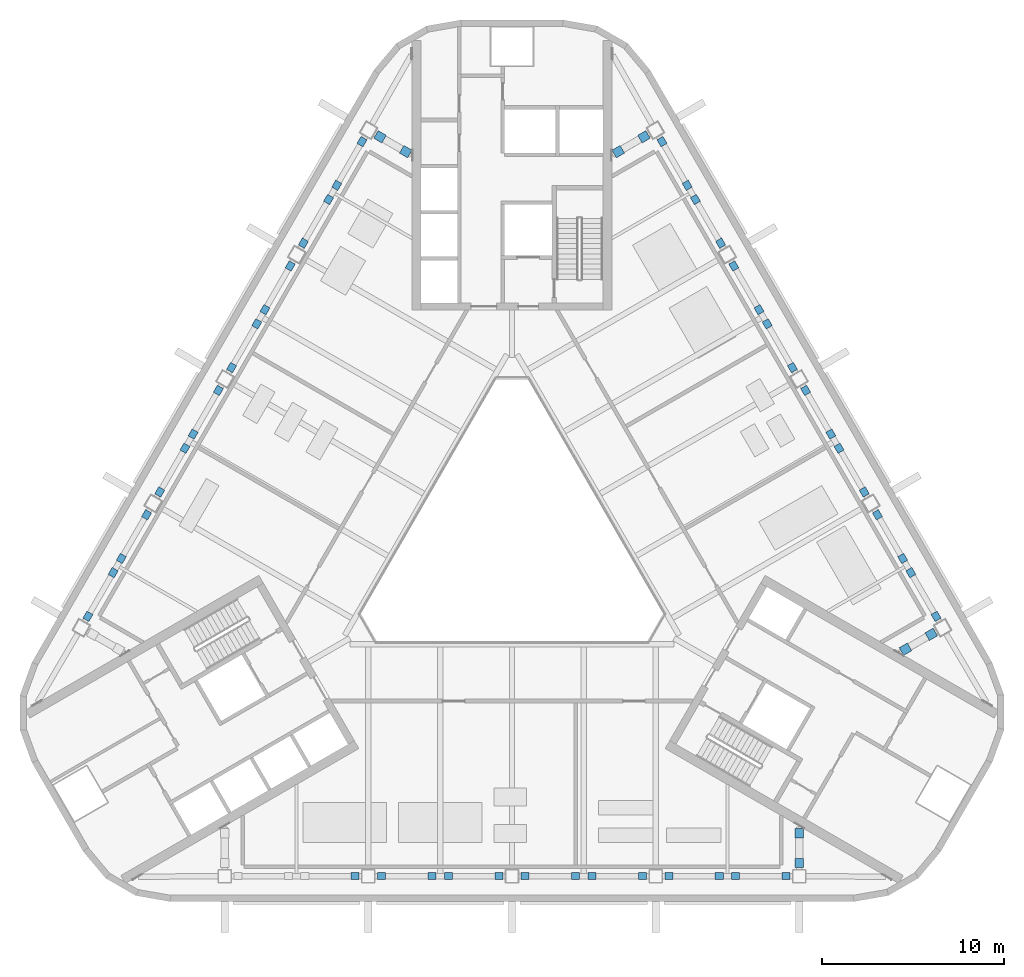
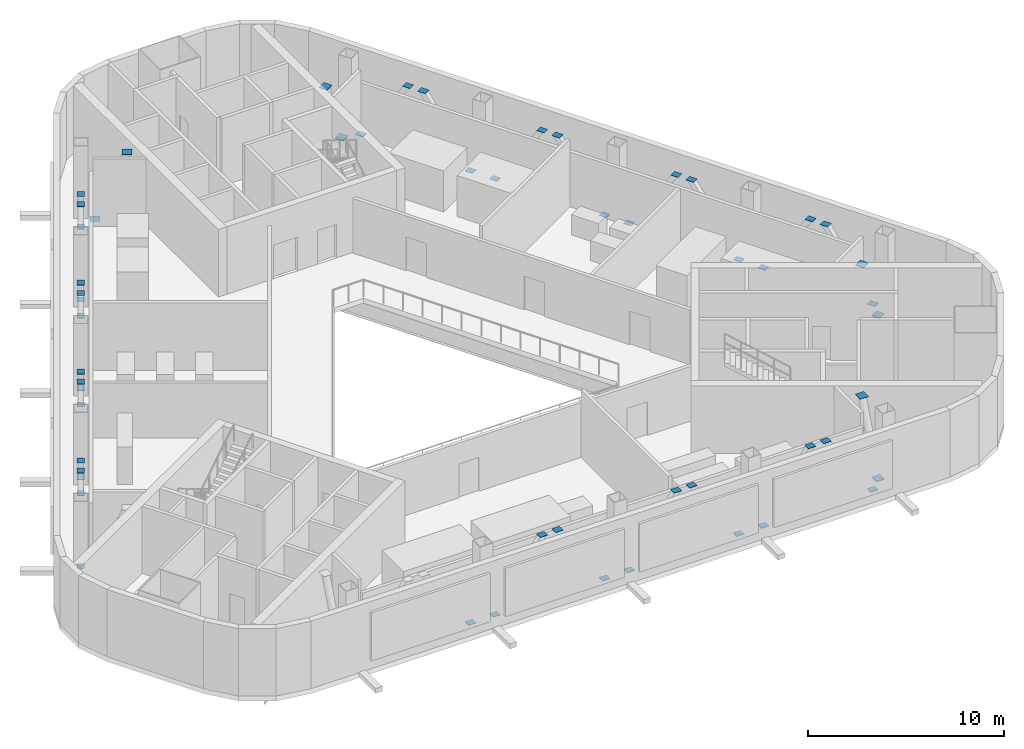
# One storey, part 10 of 15: 53 discrete accessories.
"""IFC4 building model written with IfcOpenShell, lengths in metres."""

import ifcopenshell
import ifcopenshell.guid

model = None  # the IFC model being written
_history = None  # IfcOwnerHistory: only IFC2X3 demands one
_inside = {}  # id of a spatial element -> (the spatial element, [elements in it])
_under = {}  # id of a project, library or spatial element -> (it, [spatial elements below it])
_declared = {}  # id of a project -> (the project, [libraries it declares])
_typed = {}  # id of a type object -> (the type object, [elements of that type])
_made_of = {}  # id of a material, layer set ... -> (it, [elements and type objects made of it])


def new_model(schema):
    """Start an empty IFC model of exactly this schema.

    Asked for "IFC4X3", IfcOpenShell would pick the latest addendum, in which some entities
    have other attributes; the version numbers below select the first issue.
    IFC2X3 requires an IfcOwnerHistory on every rooted entity: one is made here for all.
    """
    global model, _history
    if schema == "IFC4X3":
        model = ifcopenshell.file(schema_version=(4, 3, 0, 0))
    else:
        model = ifcopenshell.file(schema=schema)
    _inside.clear()
    _under.clear()
    _declared.clear()
    _typed.clear()
    _made_of.clear()
    _history = None
    if model.schema == "IFC2X3":
        org = make("IfcOrganization", Name="unknown")
        user = make(
            "IfcPersonAndOrganization",
            ThePerson=make("IfcPerson", FamilyName="unknown"),
            TheOrganization=org,
        )
        app = make(
            "IfcApplication",
            ApplicationDeveloper=org,
            Version="unknown",
            ApplicationFullName="unknown",
            ApplicationIdentifier="unknown",
        )
        _history = make(
            "IfcOwnerHistory",
            OwningUser=user,
            OwningApplication=app,
            ChangeAction="ADDED",
            CreationDate=0,
        )
    return model


def make(cls, **values):
    """One entity of the class cls with the attributes given. An attribute that is None is left unset."""
    return model.create_entity(
        cls, **{name: value for name, value in values.items() if value is not None}
    )


def rooted(cls, **values):
    """An entity with a GlobalId (a new one), such as an element, a storey or a relation."""
    return make(cls, GlobalId=ifcopenshell.guid.new(), OwnerHistory=_history, **values)


def si_unit(unit_type, name, prefix=None):
    """IfcSIUnit, for example si_unit("LENGTHUNIT", "METRE", prefix="MILLI")."""
    return make("IfcSIUnit", UnitType=unit_type, Prefix=prefix, Name=name)


def assignment(units):
    """IfcUnitAssignment: the units of a project."""
    return None if units is None else make("IfcUnitAssignment", Units=units)


def point(xyz):
    """IfcCartesianPoint."""
    return None if xyz is None else make("IfcCartesianPoint", Coordinates=xyz)


def direction(xyz):
    """IfcDirection."""
    return None if xyz is None else make("IfcDirection", DirectionRatios=xyz)


def frame(location, z_axis=None, x_axis=None):
    """IfcAxis2Placement3D, a coordinate frame: its origin and axes. An axis left out is left unset."""
    return make(
        "IfcAxis2Placement3D",
        Location=point(location),
        Axis=direction(z_axis),
        RefDirection=direction(x_axis),
    )


def frame_2d(location, x_axis=None):
    """IfcAxis2Placement2D, a coordinate frame in the plane: its origin and x axis."""
    return make(
        "IfcAxis2Placement2D", Location=point(location), RefDirection=direction(x_axis)
    )


def origin():
    """The frame at (0, 0, 0) with its axes left unset."""
    return frame((0.0, 0.0, 0.0))


def origin_2d():
    """The frame at (0, 0) in the plane with its x axis left unset."""
    return frame_2d((0.0, 0.0))


def place(relative_to, where):
    """IfcLocalPlacement: puts the frame where relative to a parent placement (None: the world)."""
    return make(
        "IfcLocalPlacement", PlacementRelTo=relative_to, RelativePlacement=where
    )


def context(
    kind, dimensions, precision=None, world=None, true_north=None, identifier=None
):
    """IfcGeometricRepresentationContext, for example the 3D "Model" context."""
    return make(
        "IfcGeometricRepresentationContext",
        ContextIdentifier=identifier,
        ContextType=kind,
        CoordinateSpaceDimension=dimensions,
        Precision=precision,
        WorldCoordinateSystem=world,
        TrueNorth=true_north,
    )


def subcontext(parent, identifier, kind, view, scale=None):
    """IfcGeometricRepresentationSubContext, for example "Body" below "Model"."""
    return make(
        "IfcGeometricRepresentationSubContext",
        ContextIdentifier=identifier,
        ContextType=kind,
        ParentContext=parent,
        TargetScale=scale,
        TargetView=view,
    )


def project(units=None, contexts=None):
    """IfcProject with its units and contexts."""
    return rooted(
        "IfcProject",
        Name="project",
        RepresentationContexts=contexts,
        UnitsInContext=assignment(units),
    )


def spatial(cls, under=None, at=None, **own):
    """A site, building, storey or space (cls), placed at a placement, below another one or the project."""
    s = rooted(cls, ObjectPlacement=at, **own)
    if under is not None:
        _under.setdefault(under.id(), (under, []))[1].append(s)
    return s


def profile(cls, at=None, kind="AREA", **sizes):
    """A parametric profile (cls). Its sizes go by their IFC names, for example OverallWidth=200.0."""
    return make(cls, ProfileType=kind, Position=at, **sizes)


def rectangle(**sizes):
    """IfcRectangleProfileDef."""
    return profile("IfcRectangleProfileDef", **sizes)


def extrude(swept, where, along, depth):
    """IfcExtrudedAreaSolid: the profile swept, set in the frame where, extruded along a direction by depth."""
    return make(
        "IfcExtrudedAreaSolid",
        SweptArea=swept,
        Position=where,
        ExtrudedDirection=direction(along),
        Depth=depth,
    )


def shape(context_of_items, identifier, shape_type, items):
    """IfcShapeRepresentation: the items that make up one representation, for example the "Body"."""
    return make(
        "IfcShapeRepresentation",
        ContextOfItems=context_of_items,
        RepresentationIdentifier=identifier,
        RepresentationType=shape_type,
        Items=items,
    )


def material(Name=None, Category=None):
    """IfcMaterial."""
    return make("IfcMaterial", Name=Name, Category=Category)


def layer(
    of_material, thickness, ventilated=None, Name=None, Category=None, Priority=None
):
    """IfcMaterialLayer: one layer of a wall or slab, of a material (None: an air gap)."""
    return make(
        "IfcMaterialLayer",
        Material=of_material,
        LayerThickness=thickness,
        IsVentilated=ventilated,
        Name=Name,
        Category=Category,
        Priority=Priority,
    )


def layer_set(layers, Name=None):
    """IfcMaterialLayerSet."""
    return make("IfcMaterialLayerSet", MaterialLayers=layers, LayerSetName=Name)


def made_of(thing, what):
    """Note that an element or type object is made of a material, layer set ...; save() writes the relation."""
    if what is not None:
        _made_of.setdefault(what.id(), (what, []))[1].append(thing)
    return thing


def type_object(cls, material=None, **own):
    """A type object (cls), such as IfcWallType, which elements share."""
    return made_of(rooted(cls, **own), material)


def element(
    cls,
    number,
    at=None,
    inside=None,
    cuts=None,
    type_object=None,
    material=None,
    context=None,
    identifier="Body",
    shape_type=None,
    held_by="IfcProductDefinitionShape",
    body=None,
    shapes=None,
    **own,
):
    """One element of the class cls, such as IfcWall. Its Tag is "e" and its number.

    at: its placement. inside: the storey or other place that contains it. cuts: it is an
    opening in that element (IfcRelVoidsElement). A single representation is given by context,
    identifier, shape_type and body (its items); several are given by shapes. held_by: the class
    of the entity that holds the representations. save() writes the other relations.
    """
    e = rooted(cls, Tag="e%d" % number, ObjectPlacement=at, **own)
    if body is not None:
        shapes = [shape(context, identifier, shape_type, body)]
    if shapes is not None:
        e.Representation = make(held_by, Representations=shapes)
    if inside is not None:
        _inside.setdefault(inside.id(), (inside, []))[1].append(e)
    if cuts is not None:
        rooted(
            "IfcRelVoidsElement", RelatingBuildingElement=cuts, RelatedOpeningElement=e
        )
    if type_object is not None:
        _typed.setdefault(type_object.id(), (type_object, []))[1].append(e)
    return made_of(e, material)


def aggregate(whole, parts):
    """IfcRelAggregates: a whole, such as a stair, and the parts it consists of."""
    return rooted("IfcRelAggregates", RelatingObject=whole, RelatedObjects=parts)


def save(model, path):
    """Write the relations noted so far, then the file.

    IfcRelAggregates (storeys below a building ...), IfcRelContainedInSpatialStructure (elements
    in a storey), IfcRelDefinesByType, IfcRelAssociatesMaterial and IfcRelDeclares: one each for
    every whole, place, type object, material and project.
    """
    for whole, parts in _under.values():
        aggregate(whole, parts)
    for where, things in _inside.values():
        rooted(
            "IfcRelContainedInSpatialStructure",
            RelatedElements=things,
            RelatingStructure=where,
        )
    for kind, things in _typed.values():
        rooted("IfcRelDefinesByType", RelatedObjects=things, RelatingType=kind)
    for what, things in _made_of.values():
        rooted("IfcRelAssociatesMaterial", RelatedObjects=things, RelatingMaterial=what)
    for by, libraries in _declared.values():
        rooted("IfcRelDeclares", RelatingContext=by, RelatedDefinitions=libraries)
    model.write(path)


model = new_model("IFC4")

# Units and contexts
model_context = context("Model", 3, precision=1e-05, world=origin(), true_north=direction((0.0, 1.0)))
body_context = subcontext(model_context, "Body", "Model", "MODEL_VIEW")
ifc_project = project(units=[si_unit("LENGTHUNIT", "METRE"), si_unit("AREAUNIT", "SQUARE_METRE"), si_unit("VOLUMEUNIT", "CUBIC_METRE"), si_unit("PLANEANGLEUNIT", "RADIAN"), si_unit("MASSUNIT", "GRAM", prefix="KILO")], contexts=[model_context])

# Site, building, storey
site_placement = place(None, origin())
site = spatial("IfcSite", under=ifc_project, at=site_placement, CompositionType="ELEMENT")
building_placement = place(site_placement, origin())
building = spatial("IfcBuilding", under=site, at=building_placement, Name="Apuvela Tower Hotel", CompositionType="ELEMENT")
storey_placement = place(building_placement, frame((0.0, 0.0, 237.699951171875)))
storey = spatial("IfcBuildingStorey", under=building, at=storey_placement, Name="L58 Plant", CompositionType="ELEMENT", Elevation=237.699951171875)

# Discrete accessories
ifc_material = material(Name="Steel S355", Category="steel")
ifc_layer = layer(ifc_material, 0.02001953125)
ifc_layer_set = layer_set([ifc_layer], Name="STR-EP end plate 20")
discrete_accessory_type = type_object("IfcDiscreteAccessoryType", Name="STR-EP end plate 20", PredefinedType="BRACKET", material=ifc_layer_set)
for number, where, z_axis, x_axis, name in (
    (1, (-8.625, -18.22998046875, -0.300048828125), (0.0, 0.0, 1.0), (-1.0, 0.0, 0.0), "End plate EP BR3 S1"),
    (2, (-7.175048828125, -18.22998046875, -0.300048828125), (0.0, 0.0, 1.0), (1.0, 0.0, 0.0), "End plate EP BR3 S2"),
    (3, (-4.39990234375, -18.22998046875, 3.68994140625), (0.0, 0.0, 1.0), (1.0, 0.0, 0.0), "End plate EP BR3 S2"),
    (4, (-0.72509765625, -18.22998046875, -0.300048828125), (0.0, 0.0, 1.0), (-1.0, 0.0, 0.0), "End plate EP BR3 S2"),
    (5, (-3.5, -18.22998046875, 3.68994140625), (0.0, 0.0, 1.0), (-1.0, 0.0, 0.0), "End plate EP BR3 S2"),
    (6, (0.72509765625, -18.22998046875, -0.300048828125), (0.0, 0.0, 1.0), (1.0, 0.0, 0.0), "End plate EP BR3 S3"),
    (7, (3.5, -18.22998046875, 3.68994140625), (0.0, 0.0, 1.0), (1.0, 0.0, 0.0), "End plate EP BR3 S3"),
    (8, (7.175048828125, -18.22998046875, -0.300048828125), (0.0, 0.0, 1.0), (-1.0, 0.0, 0.0), "End plate EP BR3 S3"),
    (9, (4.39990234375, -18.22998046875, 3.68994140625), (0.0, 0.0, 1.0), (-1.0, 0.0, 0.0), "End plate EP BR3 S3"),
    (10, (8.625, -18.22998046875, -0.300048828125), (0.0, 0.0, 1.0), (1.0, 0.0, 0.0), "End plate EP BR3 S4"),
    (11, (11.39990234375, -18.22998046875, 3.68994140625), (0.0, 0.0, 1.0), (1.0, 0.0, 0.0), "End plate EP BR3 S4"),
    (12, (15.074951171875, -18.22998046875, -0.300048828125), (0.0, 0.0, 1.0), (-1.0, 0.0, 0.0), "End plate EP BR3 S4"),
    (13, (12.300048828125, -18.22998046875, 3.68994140625), (0.0, 0.0, 1.0), (-1.0, 0.0, 0.0), "End plate EP BR3 S4"),
    (14, (23.3251953125, -3.940185546875, -0.300048828125), (0.0, 0.0, 1.0), (-0.5, 0.866025403784, 0.0), "End plate EP BR3 NE1"),
    (15, (21.9375, -1.537109375, 3.68994140625), (0.0, 0.0, 1.0), (-0.5, 0.866025403784, 0.0), "End plate EP BR3 NE1"),
    (16, (20.10009765625, 1.6455078125, -0.300048828125), (0.0, 0.0, 1.0), (0.5, -0.866025403784, 0.0), "End plate EP BR3 NE1"),
    (17, (21.487548828125, -0.7578125, 3.68994140625), (0.0, 0.0, 1.0), (0.5, -0.866025403784, 0.0), "End plate EP BR3 NE1"),
    (18, (19.375, 2.9013671875, -0.300048828125), (0.0, 0.0, 1.0), (-0.5, 0.866025403784, 0.0), "End plate EP BR3 NE2"),
    (19, (17.987548828125, 5.304443359375, 3.68994140625), (0.0, 0.0, 1.0), (-0.5, 0.866025403784, 0.0), "End plate EP BR3 NE2"),
    (20, (16.150146484375, 8.487060546875, -0.300048828125), (0.0, 0.0, 1.0), (0.5, -0.866025403784, 0.0), "End plate EP BR3 NE2"),
    (21, (17.53759765625, 6.083984375, 3.68994140625), (0.0, 0.0, 1.0), (0.5, -0.866025403784, 0.0), "End plate EP BR3 NE2"),
    (22, (15.425048828125, 9.742919921875, -0.300048828125), (0.0, 0.0, 1.0), (-0.5, 0.866025403784, 0.0), "End plate EP BR3 NE3"),
    (23, (14.03759765625, 12.14599609375, 3.68994140625), (0.0, 0.0, 1.0), (-0.5, 0.866025403784, 0.0), "End plate EP BR3 NE3"),
    (24, (12.2001953125, 15.32861328125, -0.300048828125), (0.0, 0.0, 1.0), (0.5, -0.866025403784, 0.0), "End plate EP BR3 NE3"),
    (25, (13.587646484375, 12.925537109375, 3.68994140625), (0.0, 0.0, 1.0), (0.5, -0.866025403784, 0.0), "End plate EP BR3 NE3"),
    (26, (11.47509765625, 16.58447265625, -0.300048828125), (0.0, 0.0, 1.0), (-0.5, 0.866025403784, 0.0), "End plate EP BR3 NE4"),
    (27, (10.087646484375, 18.98779296875, 3.68994140625), (0.0, 0.0, 1.0), (-0.5, 0.866025403784, 0.0), "End plate EP BR3 NE4"),
    (28, (8.25, 22.17041015625, -0.300048828125), (0.0, 0.0, 1.0), (0.5, -0.866025403784, 0.0), "End plate EP BR3 NE4"),
    (29, (9.6376953125, 19.76708984375, 3.68994140625), (0.0, 0.0, 1.0), (0.5, -0.866025403784, 0.0), "End plate EP BR3 NE4"),
    (30, (-8.25, 22.17041015625, -0.300048828125), (0.0, 0.0, 1.0), (-0.5, -0.866025403784, 0.0), "End plate EP BR3 NW1"),
    (31, (-9.6376953125, 19.76708984375, 3.68994140625), (0.0, 0.0, 1.0), (-0.5, -0.866025403784, 0.0), "End plate EP BR3 NW1"),
    (32, (-11.47509765625, 16.58447265625, -0.300048828125), (0.0, 0.0, 1.0), (0.5, 0.866025403784, 0.0), "End plate EP BR3 NW1"),
    (33, (-10.087646484375, 18.98779296875, 3.68994140625), (0.0, 0.0, 1.0), (0.5, 0.866025403784, 0.0), "End plate EP BR3 NW1"),
    (34, (-12.2001953125, 15.32861328125, -0.300048828125), (0.0, 0.0, 1.0), (-0.5, -0.866025403784, 0.0), "End plate EP BR3 NW2"),
    (35, (-13.587646484375, 12.925537109375, 3.68994140625), (0.0, 0.0, 1.0), (-0.5, -0.866025403784, 0.0), "End plate EP BR3 NW2"),
    (36, (-15.425048828125, 9.742919921875, -0.300048828125), (0.0, 0.0, 1.0), (0.5, 0.866025403784, 0.0), "End plate EP BR3 NW2"),
    (37, (-14.03759765625, 12.14599609375, 3.68994140625), (0.0, 0.0, 1.0), (0.5, 0.866025403784, 0.0), "End plate EP BR3 NW2"),
    (38, (-16.150146484375, 8.487060546875, -0.300048828125), (0.0, 0.0, 1.0), (-0.5, -0.866025403784, 0.0), "End plate EP BR3 NW3"),
    (39, (-17.53759765625, 6.083984375, 3.68994140625), (0.0, 0.0, 1.0), (-0.5, -0.866025403784, 0.0), "End plate EP BR3 NW3"),
    (40, (-19.375, 2.9013671875, -0.300048828125), (0.0, 0.0, 1.0), (0.5, 0.866025403784, 0.0), "End plate EP BR3 NW3"),
    (41, (-17.987548828125, 5.304443359375, 3.68994140625), (0.0, 0.0, 1.0), (0.5, 0.866025403784, 0.0), "End plate EP BR3 NW3"),
    (42, (-20.10009765625, 1.6455078125, -0.300048828125), (0.0, 0.0, 1.0), (-0.5, -0.866025403784, 0.0), "End plate EP BR3 NW4"),
    (43, (-21.487548828125, -0.7578125, 3.68994140625), (0.0, 0.0, 1.0), (-0.5, -0.866025403784, 0.0), "End plate EP BR3 NW4"),
    (44, (-23.3251953125, -3.940185546875, -0.300048828125), (0.0, 0.0, 1.0), (0.5, 0.866025403784, 0.0), "End plate EP BR3 NW4"),
    (45, (-21.9375, -1.537109375, 3.68994140625), (0.0, 0.0, 1.0), (0.5, 0.866025403784, 0.0), "End plate EP BR3 NW4"),
):
    element("IfcDiscreteAccessory", number, at=place(storey_placement, frame(where, z_axis=z_axis, x_axis=x_axis)), inside=storey, type_object=discrete_accessory_type, Name=name, PredefinedType="BRACKET", context=body_context, shape_type="SweptSolid", body=[
        extrude(rectangle(XDim=0.44482421875, YDim=0.3798828125, at=origin_2d()), origin(), (0.0, 0.0, 1.0), 0.02001953125),
    ])
for number, where, z_axis, x_axis, name in (
    (46, (23.059814453125, -4.9306640625, -0.300048828125), (0.0, 0.0, 1.0), (-0.866025403784, -0.5, 0.0), "End plate EP OD3 NE1"),
    (47, (21.64306640625, -5.74853515625, 3.85009765625), (0.0, 0.0, 1.0), (-0.866025403784, -0.5, 0.0), "End plate EP OD3 NE1"),
    (48, (7.259765625, 22.435791015625, -0.300048828125), (0.0, 0.0, 1.0), (-0.866025403784, -0.5, 0.0), "End plate EP OD3 NE5"),
    (49, (5.843017578125, 21.617919921875, 3.85009765625), (0.0, 0.0, 1.0), (-0.866025403784, -0.5, 0.0), "End plate EP OD3 NE5"),
    (50, (-7.259765625, 22.435791015625, -0.300048828125), (0.0, 0.0, 1.0), (0.866025403784, -0.5, 0.0), "End plate EP OD3 NW1"),
    (51, (-5.843017578125, 21.617919921875, 3.85009765625), (0.0, 0.0, 1.0), (0.866025403784, -0.5, 0.0), "End plate EP OD3 NW1"),
    (52, (15.800048828125, -17.5048828125, -0.300048828125), (0.0, 0.0, 1.0), (0.0, 1.0, 0.0), "End plate EP OD3 S5"),
    (53, (15.800048828125, -15.869140625, 3.85009765625), (0.0, 0.0, 1.0), (0.0, 1.0, 0.0), "End plate EP OD3 S5"),
):
    element("IfcDiscreteAccessory", number, at=place(storey_placement, frame(where, z_axis=z_axis, x_axis=x_axis)), inside=storey, type_object=discrete_accessory_type, Name=name, PredefinedType="BRACKET", context=body_context, shape_type="SweptSolid", body=[
        extrude(rectangle(XDim=0.5166015625, YDim=0.486328125, at=origin_2d()), origin(), (0.0, 0.0, 1.0), 0.02001953125),
    ])

save(model, "model.ifc")
